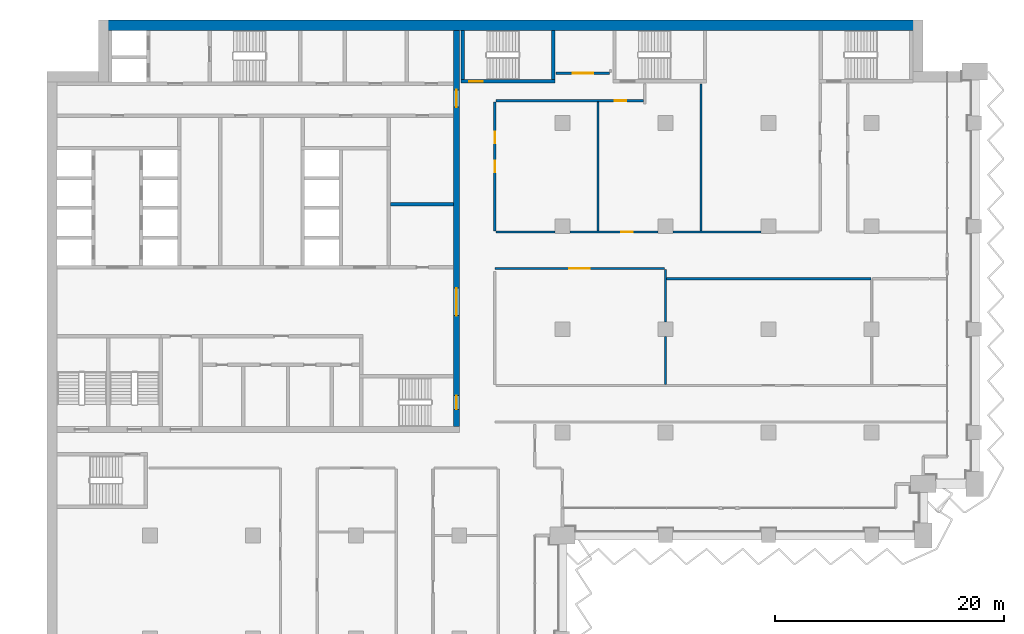
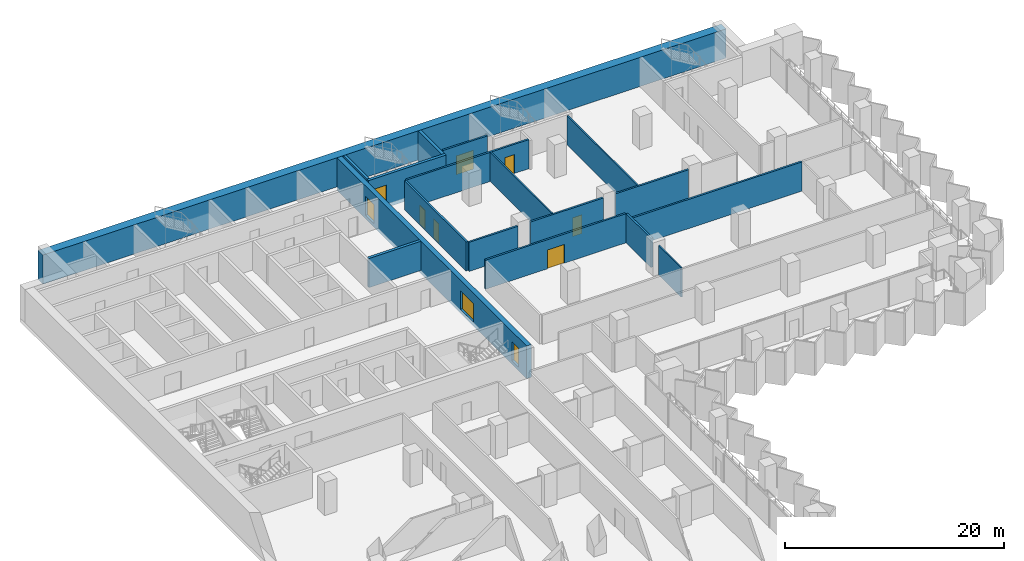
# One storey, part 14 of 23: 18 walls, 10 doors, 10 openings.
"""IFC4 building model written with IfcOpenShell, lengths in metres."""

from ifc_helpers import new_model, si_unit, direction, frame, frame_2d, origin, place, context, subcontext, project, spatial, rectangle, extrude, material, layer, layer_set, type_object, element, fill, save


model = new_model("IFC4")

# Units and contexts
model_context = context("Model", 3, precision=1e-05, world=origin(), true_north=direction((0.0, 1.0)))
body_context = subcontext(model_context, "Body", "Model", "MODEL_VIEW")
ifc_project = project(units=[si_unit("LENGTHUNIT", "METRE"), si_unit("AREAUNIT", "SQUARE_METRE"), si_unit("VOLUMEUNIT", "CUBIC_METRE"), si_unit("PLANEANGLEUNIT", "RADIAN"), si_unit("MASSUNIT", "GRAM", prefix="KILO")], contexts=[model_context])

# Site, building, storey
site_placement = place(None, origin())
site = spatial("IfcSite", under=ifc_project, at=site_placement, CompositionType="ELEMENT")
building_placement = place(site_placement, origin())
building = spatial("IfcBuilding", under=site, at=building_placement, Name="Hunhe Ridgeline Campus", CompositionType="ELEMENT")
storey_placement = place(building_placement, frame((0.0, 0.0, 125.5)))
storey = spatial("IfcBuildingStorey", under=building, at=storey_placement, Name="L31", CompositionType="ELEMENT", Elevation=125.5)

# Wall
ifc_material_1 = material(Name="Masonry concrete blockwork", Category="masonry")
ifc_layer_1 = layer(ifc_material_1, 0.300048828125)
ifc_layer_set_1 = layer_set([ifc_layer_1], Name="Core room partition 300 concrete block")
wall_type_1 = type_object("IfcWallType", Name="Core room partition 300 concrete block", PredefinedType="PARTITIONING", material=ifc_layer_set_1)
wall_1_placement = place(storey_placement, frame((30.0, 82.89990234375, 0.0), z_axis=(0.0, 0.0, 1.0), x_axis=(1.0, 0.0, 0.0)))
element("IfcWall", 1, at=wall_1_placement, inside=storey, type_object=wall_type_1, Name="L31 core partition 20", PredefinedType="PARTITIONING", context=body_context, shape_type="SweptSolid", body=[
    extrude(rectangle(XDim=5.5, YDim=0.300048828125, at=frame_2d((2.75, 0.0))), origin(), (0.0, 0.0, 1.0), 3.25),
])

# Wall, openings, doors
ifc_material_2 = material(Name="Concrete C80", Category="concrete")
ifc_layer_2 = layer(ifc_material_2, 0.5)
ifc_layer_set_2 = layer_set([ifc_layer_2], Name="Core wall 500 reinforced concrete C80")
wall_type_2 = type_object("IfcWallType", Name="Core wall 500 reinforced concrete C80", PredefinedType="SOLIDWALL", material=ifc_layer_set_2)
wall_2_placement = place(storey_placement, frame((35.75, 63.5, -0.39990234375), z_axis=(0.0, 0.0, 1.0), x_axis=(0.0, 1.0, 0.0)))
wall_2 = element("IfcWall", 2, at=wall_2_placement, inside=storey, type_object=wall_type_2, Name="L31 core wall 61", PredefinedType="SOLIDWALL", context=body_context, shape_type="SweptSolid", body=[
    extrude(rectangle(XDim=34.60009765625, YDim=0.5, at=frame_2d((17.300048828125, 0.0))), origin(), (0.0, 0.0, 1.0), 3.64990234375),
])
opening_1_placement = place(wall_2_placement, frame((9.699951171875, 0.0, 0.39990234375)))
opening_1 = element("IfcOpeningElement", 3, at=opening_1_placement, cuts=wall_2, Name="Opening CD4", PredefinedType="OPENING", context=body_context, shape_type="SweptSolid", body=[
    extrude(rectangle(XDim=2.39990234375, YDim=2.10009765625, at=frame_2d((1.199951171875, 1.050048828125))), frame((0.0, 0.25, 0.0), z_axis=(0.0, -1.0, 0.0), x_axis=(1.0, 0.0, 0.0)), (0.0, 0.0, 1.0), 0.5),
])
opening_2_placement = place(wall_2_placement, frame((27.89990234375, 0.0, 0.39990234375)))
opening_2 = element("IfcOpeningElement", 4, at=opening_2_placement, cuts=wall_2, Name="Opening CD5", PredefinedType="OPENING", context=body_context, shape_type="SweptSolid", body=[
    extrude(rectangle(XDim=1.5, YDim=2.10009765625, at=frame_2d((0.75, 1.050048828125))), frame((0.0, 0.25, 0.0), z_axis=(0.0, -1.0, 0.0), x_axis=(1.0, 0.0, 0.0)), (0.0, 0.0, 1.0), 0.5),
])
opening_3_placement = place(wall_2_placement, frame((1.5, 0.0, 0.39990234375)))
opening_3 = element("IfcOpeningElement", 5, at=opening_3_placement, cuts=wall_2, Name="Opening CD15", PredefinedType="OPENING", context=body_context, shape_type="SweptSolid", body=[
    extrude(rectangle(XDim=1.199951171875, YDim=2.10009765625, at=frame_2d((0.60009765625, 1.050048828125))), frame((0.0, 0.25, 0.0), z_axis=(0.0, -1.0, 0.0), x_axis=(1.0, 0.0, 0.0)), (0.0, 0.0, 1.0), 0.5),
])
ifc_material_3 = material(Name="Anodised aluminium and glass", Category="aluminium")
door_type_1 = type_object("IfcDoorType", Name="Glazed double door 2400x2100", OperationType="DOUBLE_DOOR_SINGLE_SWING", PredefinedType="DOOR", material=ifc_material_3)
door_1_placement = place(opening_1_placement, frame((2.39990234375, 0.0, 0.0), z_axis=(0.0, 0.0, 1.0), x_axis=(-1.0, 0.0, 0.0)))
door_1 = element("IfcDoor", 6, at=door_1_placement, inside=storey, type_object=door_type_1, Name="L31 door HALL-FLOOR", OperationType="DOUBLE_DOOR_SINGLE_SWING", OverallHeight=2.10009765625, OverallWidth=2.39990234375, PredefinedType="DOOR", context=body_context, shape_type="SweptSolid", body=[
    extrude(rectangle(XDim=2.39990234375, YDim=2.10009765625, at=frame_2d((1.199951171875, 1.050048828125))), frame((0.0, 0.02490234375, 0.0), z_axis=(0.0, -1.0, 0.0), x_axis=(1.0, 0.0, 0.0)), (0.0, 0.0, 1.0), 0.050048828125),
])
fill(opening_1, door_1)
ifc_material_4 = material(Name="Hollow metal fire door leaf")
door_type_2 = type_object("IfcDoorType", Name="Stair door 1200x2100 FD60", OperationType="SINGLE_SWING_LEFT", PredefinedType="DOOR", material=ifc_material_4)
door_2_placement = place(opening_3_placement, frame((1.199951171875, 0.0, 0.0), z_axis=(0.0, 0.0, 1.0), x_axis=(-1.0, 0.0, 0.0)))
door_2 = element("IfcDoor", 7, at=door_2_placement, inside=storey, type_object=door_type_2, Name="L31 door S2-FLOOR", OperationType="SINGLE_SWING_RIGHT", OverallHeight=2.10009765625, OverallWidth=1.199951171875, PredefinedType="DOOR", context=body_context, shape_type="SweptSolid", body=[
    extrude(rectangle(XDim=1.199951171875, YDim=2.10009765625, at=frame_2d((0.60009765625, 1.050048828125))), frame((0.0, 0.02490234375, 0.0), z_axis=(0.0, -1.0, 0.0), x_axis=(1.0, 0.0, 0.0)), (0.0, 0.0, 1.0), 0.050048828125),
])
fill(opening_3, door_2)
ifc_material_5 = material(Name="Solid core timber door leaf", Category="wood")
door_type_3 = type_object("IfcDoorType", Name="Timber door 1500x2100", OperationType="SINGLE_SWING_LEFT", PredefinedType="DOOR", material=ifc_material_5)
door_3_placement = place(opening_2_placement, frame((1.5, 0.0, 0.0), z_axis=(0.0, 0.0, 1.0), x_axis=(-1.0, 0.0, 0.0)))
door_3 = element("IfcDoor", 8, at=door_3_placement, inside=storey, type_object=door_type_3, Name="L31 door C1-FLOOR", OperationType="SINGLE_SWING_RIGHT", OverallHeight=2.10009765625, OverallWidth=1.5, PredefinedType="DOOR", context=body_context, shape_type="SweptSolid", body=[
    extrude(rectangle(XDim=1.5, YDim=2.10009765625, at=frame_2d((0.75, 1.050048828125))), frame((0.0, 0.02490234375, 0.0), z_axis=(0.0, -1.0, 0.0), x_axis=(1.0, 0.0, 0.0)), (0.0, 0.0, 1.0), 0.050048828125),
])
fill(opening_2, door_3)

# Wall
ifc_material_6 = material(Name="Gypsum board partition")
ifc_layer_3 = layer(ifc_material_6, 0.199951171875)
ifc_layer_set_3 = layer_set([ifc_layer_3], Name="Corridor partition 200 gypsum board on steel studs")
wall_type_3 = type_object("IfcWallType", Name="Corridor partition 200 gypsum board on steel studs", PredefinedType="PARTITIONING", material=ifc_layer_set_3)
wall_3_placement = place(storey_placement, frame((71.925048828125, 76.40087890625, 0.0), z_axis=(0.0, 0.0, 1.0), x_axis=(-1.0, 0.0, 0.0)))
element("IfcWall", 9, at=wall_3_placement, inside=storey, type_object=wall_type_3, Name="F-L31-wall-041", PredefinedType="PARTITIONING", context=body_context, shape_type="SweptSolid", body=[
    extrude(rectangle(XDim=17.824951171875, YDim=0.199951171875, at=frame_2d((8.91259765625, 0.0))), origin(), (0.0, 0.0, 1.0), 3.25),
])

# Wall, opening, door
wall_4_placement = place(storey_placement, frame((53.89990234375, 77.300048828125, 0.0), z_axis=(0.0, 0.0, 1.0), x_axis=(-1.0, 0.0, 0.0)))
wall_4 = element("IfcWall", 10, at=wall_4_placement, inside=storey, type_object=wall_type_3, Name="F-L31-wall-044", PredefinedType="PARTITIONING", context=body_context, shape_type="SweptSolid", body=[
    extrude(rectangle(XDim=14.7998046875, YDim=0.199951171875, at=frame_2d((7.39990234375, 0.0))), origin(), (0.0, 0.0, 1.0), 3.25),
])
opening_4_placement = place(wall_4_placement, frame((6.5, 0.0, 0.0)))
opening_4 = element("IfcOpeningElement", 11, at=opening_4_placement, cuts=wall_4, Name="Opening RD2-026", PredefinedType="OPENING", context=body_context, shape_type="SweptSolid", body=[
    extrude(rectangle(XDim=1.800048828125, YDim=2.10009765625, at=frame_2d((0.89990234375, 1.050048828125))), frame((0.0, 0.10009765625, 0.0), z_axis=(0.0, -1.0, 0.0), x_axis=(1.0, 0.0, 0.0)), (0.0, 0.0, 1.0), 0.199951171875),
])
ifc_material_7 = material(Name="Timber door leaf", Category="wood")
door_type_4 = type_object("IfcDoorType", Name="Double fire door 1800x2100 timber FD60", OperationType="DOUBLE_DOOR_SINGLE_SWING", PredefinedType="DOOR", material=ifc_material_7)
door_4_placement = place(opening_4_placement, origin())
door_4 = element("IfcDoor", 12, at=door_4_placement, inside=storey, type_object=door_type_4, Name="F-L31-door-026", OperationType="DOUBLE_DOOR_SINGLE_SWING", OverallHeight=2.10009765625, OverallWidth=1.800048828125, PredefinedType="DOOR", context=body_context, shape_type="SweptSolid", body=[
    extrude(rectangle(XDim=1.800048828125, YDim=2.10009765625, at=frame_2d((0.89990234375, 1.050048828125))), frame((0.0, 0.02490234375, 0.0), z_axis=(0.0, -1.0, 0.0), x_axis=(1.0, 0.0, 0.0)), (0.0, 0.0, 1.0), 0.050048828125),
])
fill(opening_4, door_4)

# Wall
wall_5_placement = place(storey_placement, frame((39.199951171875, 80.5, 0.0), z_axis=(0.0, 0.0, 1.0), x_axis=(1.0, 0.0, 0.0)))
element("IfcWall", 13, at=wall_5_placement, inside=storey, type_object=wall_type_3, Name="F-L31-wall-045", PredefinedType="PARTITIONING", context=body_context, shape_type="SweptSolid", body=[
    extrude(rectangle(XDim=5.150146484375, YDim=0.199951171875, at=frame_2d((2.5751953125, 0.0))), origin(), (0.0, 0.0, 1.0), 3.25),
])

# Wall, opening, door
wall_6_placement = place(storey_placement, frame((45.64990234375, 80.5, 0.0), z_axis=(0.0, 0.0, 1.0), x_axis=(1.0, 0.0, 0.0)))
wall_6 = element("IfcWall", 14, at=wall_6_placement, inside=storey, type_object=wall_type_3, Name="F-L31-wall-046", PredefinedType="PARTITIONING", context=body_context, shape_type="SweptSolid", body=[
    extrude(rectangle(XDim=7.7001953125, YDim=0.199951171875, at=frame_2d((3.85009765625, 0.0))), origin(), (0.0, 0.0, 1.0), 3.25),
])
opening_5_placement = place(wall_6_placement, frame((4.5048828125, 0.0, 0.0)))
opening_5 = element("IfcOpeningElement", 15, at=opening_5_placement, cuts=wall_6, Name="Opening RD1-027", PredefinedType="OPENING", context=body_context, shape_type="SweptSolid", body=[
    extrude(rectangle(XDim=1.0, YDim=2.10009765625, at=frame_2d((0.5, 1.050048828125))), frame((0.0, 0.10009765625, 0.0), z_axis=(0.0, -1.0, 0.0), x_axis=(1.0, 0.0, 0.0)), (0.0, 0.0, 1.0), 0.199951171875),
])
door_type_5 = type_object("IfcDoorType", Name="Single fire door 1000x2100 timber FD60", OperationType="NOTDEFINED", PredefinedType="DOOR", material=ifc_material_7)
door_5_placement = place(opening_5_placement, frame((1.0, 0.0, 0.0), z_axis=(0.0, 0.0, 1.0), x_axis=(-1.0, 0.0, 0.0)))
door_5 = element("IfcDoor", 16, at=door_5_placement, inside=storey, type_object=door_type_5, Name="F-L31-door-027", OperationType="SINGLE_SWING_LEFT", OverallHeight=2.10009765625, OverallWidth=1.0, PredefinedType="DOOR", context=body_context, shape_type="SweptSolid", body=[
    extrude(rectangle(XDim=1.0, YDim=2.10009765625, at=frame_2d((0.5, 1.050048828125))), frame((0.0, 0.02490234375, 0.0), z_axis=(0.0, -1.0, 0.0), x_axis=(1.0, 0.0, 0.0)), (0.0, 0.0, 1.0), 0.050048828125),
])
fill(opening_5, door_5)

# Wall
wall_7_placement = place(storey_placement, frame((54.64990234375, 80.5, 0.0), z_axis=(0.0, 0.0, 1.0), x_axis=(1.0, 0.0, 0.0)))
element("IfcWall", 17, at=wall_7_placement, inside=storey, type_object=wall_type_3, Name="F-L31-wall-047", PredefinedType="PARTITIONING", context=body_context, shape_type="SweptSolid", body=[
    extrude(rectangle(XDim=7.7001953125, YDim=0.199951171875, at=frame_2d((3.85009765625, 0.0))), origin(), (0.0, 0.0, 1.0), 3.25),
])

# Wall, opening, door
wall_8_placement = place(storey_placement, frame((52.10009765625, 91.949951171875, 0.0), z_axis=(0.0, 0.0, 1.0), x_axis=(-1.0, 0.0, 0.0)))
wall_8 = element("IfcWall", 18, at=wall_8_placement, inside=storey, type_object=wall_type_3, Name="F-L31-wall-051", PredefinedType="PARTITIONING", context=body_context, shape_type="SweptSolid", body=[
    extrude(rectangle(XDim=12.900146484375, YDim=0.199951171875, at=frame_2d((6.4501953125, 0.0))), origin(), (0.0, 0.0, 1.0), 3.25),
])
opening_6_placement = place(wall_8_placement, frame((1.5234375, 0.0, 0.0)))
opening_6 = element("IfcOpeningElement", 19, at=opening_6_placement, cuts=wall_8, Name="Opening RD1-034", PredefinedType="OPENING", context=body_context, shape_type="SweptSolid", body=[
    extrude(rectangle(XDim=1.0, YDim=2.10009765625, at=frame_2d((0.5, 1.050048828125))), frame((0.0, 0.10009765625, 0.0), z_axis=(0.0, -1.0, 0.0), x_axis=(1.0, 0.0, 0.0)), (0.0, 0.0, 1.0), 0.199951171875),
])
door_6_placement = place(opening_6_placement, frame((1.0, 0.0, 0.0), z_axis=(0.0, 0.0, 1.0), x_axis=(-1.0, 0.0, 0.0)))
door_6 = element("IfcDoor", 20, at=door_6_placement, inside=storey, type_object=door_type_5, Name="F-L31-door-034", OperationType="SINGLE_SWING_RIGHT", OverallHeight=2.10009765625, OverallWidth=1.0, PredefinedType="DOOR", context=body_context, shape_type="SweptSolid", body=[
    extrude(rectangle(XDim=1.0, YDim=2.10009765625, at=frame_2d((0.5, 1.050048828125))), frame((0.0, 0.02490234375, 0.0), z_axis=(0.0, -1.0, 0.0), x_axis=(1.0, 0.0, 0.0)), (0.0, 0.0, 1.0), 0.050048828125),
])
fill(opening_6, door_6)

wall_9_placement = place(storey_placement, frame((44.4541015625, 94.35009765625, 0.0), z_axis=(0.0, 0.0, 1.0), x_axis=(1.0, 0.0, 0.0)))
wall_9 = element("IfcWall", 21, at=wall_9_placement, inside=storey, type_object=wall_type_3, Name="F-L31-wall-052", PredefinedType="PARTITIONING", context=body_context, shape_type="SweptSolid", body=[
    extrude(rectangle(XDim=4.6708984375, YDim=0.199951171875, at=frame_2d((2.33544921875, 0.0))), origin(), (0.0, 0.0, 1.0), 3.25),
])
opening_7_placement = place(wall_9_placement, frame((1.435546875, 0.0, 0.0)))
opening_7 = element("IfcOpeningElement", 22, at=opening_7_placement, cuts=wall_9, Name="Opening RD2-035", PredefinedType="OPENING", context=body_context, shape_type="SweptSolid", body=[
    extrude(rectangle(XDim=1.800048828125, YDim=2.10009765625, at=frame_2d((0.89990234375, 1.050048828125))), frame((0.0, 0.10009765625, 0.0), z_axis=(0.0, -1.0, 0.0), x_axis=(1.0, 0.0, 0.0)), (0.0, 0.0, 1.0), 0.199951171875),
])
door_7_placement = place(opening_7_placement, origin())
door_7 = element("IfcDoor", 23, at=door_7_placement, inside=storey, type_object=door_type_4, Name="F-L31-door-035", OperationType="DOUBLE_DOOR_SINGLE_SWING", OverallHeight=2.10009765625, OverallWidth=1.800048828125, PredefinedType="DOOR", context=body_context, shape_type="SweptSolid", body=[
    extrude(rectangle(XDim=1.800048828125, YDim=2.10009765625, at=frame_2d((0.89990234375, 1.050048828125))), frame((0.0, 0.02490234375, 0.0), z_axis=(0.0, -1.0, 0.0), x_axis=(1.0, 0.0, 0.0)), (0.0, 0.0, 1.0), 0.050048828125),
])
fill(opening_7, door_7)

# Wall, openings, doors
wall_10_placement = place(storey_placement, frame((39.10009765625, 91.85009765625, 0.0), z_axis=(0.0, 0.0, 1.0), x_axis=(0.0, -1.0, 0.0)))
wall_10 = element("IfcWall", 24, at=wall_10_placement, inside=storey, type_object=wall_type_3, Name="F-L31-wall-065", PredefinedType="PARTITIONING", context=body_context, shape_type="SweptSolid", body=[
    extrude(rectangle(XDim=11.25, YDim=0.199951171875, at=frame_2d((5.625, 0.0))), origin(), (0.0, 0.0, 1.0), 3.25),
])
opening_8_placement = place(wall_10_placement, frame((5.125, 0.0, 0.0)))
opening_8 = element("IfcOpeningElement", 25, at=opening_8_placement, cuts=wall_10, Name="Opening RD1-028", PredefinedType="OPENING", context=body_context, shape_type="SweptSolid", body=[
    extrude(rectangle(XDim=1.0, YDim=2.10009765625, at=frame_2d((0.5, 1.050048828125))), frame((0.0, 0.10009765625, 0.0), z_axis=(0.0, -1.0, 0.0), x_axis=(1.0, 0.0, 0.0)), (0.0, 0.0, 1.0), 0.199951171875),
])
opening_9_placement = place(wall_10_placement, frame((2.625, 0.0, 0.0)))
opening_9 = element("IfcOpeningElement", 26, at=opening_9_placement, cuts=wall_10, Name="Opening RD1-031", PredefinedType="OPENING", context=body_context, shape_type="SweptSolid", body=[
    extrude(rectangle(XDim=1.0, YDim=2.10009765625, at=frame_2d((0.5, 1.050048828125))), frame((0.0, 0.10009765625, 0.0), z_axis=(0.0, -1.0, 0.0), x_axis=(1.0, 0.0, 0.0)), (0.0, 0.0, 1.0), 0.199951171875),
])
door_8_placement = place(opening_8_placement, frame((1.0, 0.0, 0.0), z_axis=(0.0, 0.0, 1.0), x_axis=(-1.0, 0.0, 0.0)))
door_8 = element("IfcDoor", 27, at=door_8_placement, inside=storey, type_object=door_type_5, Name="F-L31-door-028", OperationType="SINGLE_SWING_LEFT", OverallHeight=2.10009765625, OverallWidth=1.0, PredefinedType="DOOR", context=body_context, shape_type="SweptSolid", body=[
    extrude(rectangle(XDim=1.0, YDim=2.10009765625, at=frame_2d((0.5, 1.050048828125))), frame((0.0, 0.02490234375, 0.0), z_axis=(0.0, -1.0, 0.0), x_axis=(1.0, 0.0, 0.0)), (0.0, 0.0, 1.0), 0.050048828125),
])
fill(opening_8, door_8)
door_9_placement = place(opening_9_placement, frame((1.0, 0.0, 0.0), z_axis=(0.0, 0.0, 1.0), x_axis=(-1.0, 0.0, 0.0)))
door_9 = element("IfcDoor", 28, at=door_9_placement, inside=storey, type_object=door_type_5, Name="F-L31-door-031", OperationType="SINGLE_SWING_RIGHT", OverallHeight=2.10009765625, OverallWidth=1.0, PredefinedType="DOOR", context=body_context, shape_type="SweptSolid", body=[
    extrude(rectangle(XDim=1.0, YDim=2.10009765625, at=frame_2d((0.5, 1.050048828125))), frame((0.0, 0.02490234375, 0.0), z_axis=(0.0, -1.0, 0.0), x_axis=(1.0, 0.0, 0.0)), (0.0, 0.0, 1.0), 0.050048828125),
])
fill(opening_9, door_9)

# Walls
wall_11_placement = place(storey_placement, frame((54.0, 77.199951171875, 0.0), z_axis=(0.0, 0.0, 1.0), x_axis=(0.0, -1.0, 0.0)))
element("IfcWall", 29, at=wall_11_placement, inside=storey, type_object=wall_type_3, Name="F-L31-wall-073", PredefinedType="PARTITIONING", context=body_context, shape_type="SweptSolid", body=[
    extrude(rectangle(XDim=4.550048828125, YDim=0.199951171875, at=frame_2d((2.27490234375, 0.0))), origin(), (0.0, 0.0, 1.0), 3.25),
])
ifc_layer_4 = layer(ifc_material_6, 0.14990234375)
ifc_layer_set_4 = layer_set([ifc_layer_4], Name="Room partition 150 gypsum board on steel studs")
wall_type_4 = type_object("IfcWallType", Name="Room partition 150 gypsum board on steel studs", PredefinedType="PARTITIONING", material=ifc_layer_set_4)
wall_12_placement = place(storey_placement, frame((48.10009765625, 91.85009765625, 0.0), z_axis=(0.0, 0.0, 1.0), x_axis=(0.0, -1.0, 0.0)))
element("IfcWall", 30, at=wall_12_placement, inside=storey, type_object=wall_type_4, Name="F-L31-wall-069", PredefinedType="PARTITIONING", context=body_context, shape_type="SweptSolid", body=[
    extrude(rectangle(XDim=11.25, YDim=0.14990234375, at=frame_2d((5.625, 0.0))), origin(), (0.0, 0.0, 1.0), 3.25),
])
wall_13_placement = place(storey_placement, frame((54.0, 71.35009765625, 0.0), z_axis=(0.0, 0.0, 1.0), x_axis=(0.0, -1.0, 0.0)))
element("IfcWall", 31, at=wall_13_placement, inside=storey, type_object=wall_type_4, Name="F-L31-wall-072", PredefinedType="PARTITIONING", context=body_context, shape_type="SweptSolid", body=[
    extrude(rectangle(XDim=4.150146484375, YDim=0.14990234375, at=frame_2d((2.0751953125, 0.0))), origin(), (0.0, 0.0, 1.0), 3.25),
])
wall_14_placement = place(storey_placement, frame((57.10009765625, 93.39599609375, 0.0), z_axis=(0.0, 0.0, 1.0), x_axis=(0.0, -1.0, 0.0)))
element("IfcWall", 32, at=wall_14_placement, inside=storey, type_object=wall_type_4, Name="F-L31-wall-074", PredefinedType="PARTITIONING", context=body_context, shape_type="SweptSolid", body=[
    extrude(rectangle(XDim=12.7958984375, YDim=0.14990234375, at=frame_2d((6.39794921875, 0.0))), origin(), (0.0, 0.0, 1.0), 3.25),
])
ifc_material_8 = material(Name="Concrete C70", Category="concrete")
ifc_layer_5 = layer(ifc_material_8, 0.89990234375)
ifc_layer_set_5 = layer_set([ifc_layer_5], Name="Spine wall 900 Concrete C70")
wall_type_5 = type_object("IfcWallType", Name="Spine wall 900 Concrete C70", PredefinedType="SHEAR", material=ifc_layer_set_5)
wall_15_placement = place(storey_placement, frame((76.5, 98.550048828125, 0.0), z_axis=(0.0, 0.0, 1.0), x_axis=(-1.0, 0.0, 0.0)))
element("IfcWall", 33, at=wall_15_placement, inside=storey, type_object=wall_type_5, Name="Spine wall SW2-4 L31", PredefinedType="SHEAR", context=body_context, shape_type="SweptSolid", body=[
    extrude(rectangle(XDim=72.0, YDim=0.89990234375, at=frame_2d((36.0, 0.0))), origin(), (0.0, 0.0, 1.0), 3.25),
])

# Wall, opening, door
ifc_layer_6 = layer(ifc_material_2, 0.300048828125)
ifc_layer_set_6 = layer_set([ifc_layer_6], Name="Stair wall 300 reinforced concrete C80")
wall_type_6 = type_object("IfcWallType", Name="Stair wall 300 reinforced concrete C80", PredefinedType="SOLIDWALL", material=ifc_layer_set_6)
wall_16_placement = place(storey_placement, frame((36.14990234375, 93.64990234375, -0.39990234375), z_axis=(0.0, 0.0, 1.0), x_axis=(1.0, 0.0, 0.0)))
wall_16 = element("IfcWall", 34, at=wall_16_placement, inside=storey, type_object=wall_type_6, Name="L31 core wall 28", PredefinedType="SOLIDWALL", context=body_context, shape_type="SweptSolid", body=[
    extrude(rectangle(XDim=8.2001953125, YDim=0.300048828125, at=frame_2d((4.10009765625, 0.0))), origin(), (0.0, 0.0, 1.0), 3.64990234375),
])
opening_10_placement = place(wall_16_placement, frame((0.699951171875, 0.0, 0.39990234375)))
opening_10 = element("IfcOpeningElement", 35, at=opening_10_placement, cuts=wall_16, Name="Opening CD17", PredefinedType="OPENING", context=body_context, shape_type="SweptSolid", body=[
    extrude(rectangle(XDim=1.199951171875, YDim=2.10009765625, at=frame_2d((0.60009765625, 1.050048828125))), frame((0.0, 0.14990234375, 0.0), z_axis=(0.0, -1.0, 0.0), x_axis=(1.0, 0.0, 0.0)), (0.0, 0.0, 1.0), 0.300048828125),
])
door_10_placement = place(opening_10_placement, frame((1.199951171875, 0.0, 0.0), z_axis=(0.0, 0.0, 1.0), x_axis=(-1.0, 0.0, 0.0)))
door_10 = element("IfcDoor", 36, at=door_10_placement, inside=storey, type_object=door_type_2, Name="L31 door E1", OperationType="SINGLE_SWING_RIGHT", OverallHeight=2.10009765625, OverallWidth=1.199951171875, PredefinedType="DOOR", context=body_context, shape_type="SweptSolid", body=[
    extrude(rectangle(XDim=1.199951171875, YDim=2.10009765625, at=frame_2d((0.60009765625, 1.050048828125))), frame((0.0, 0.02490234375, 0.0), z_axis=(0.0, -1.0, 0.0), x_axis=(1.0, 0.0, 0.0)), (0.0, 0.0, 1.0), 0.050048828125),
])
fill(opening_10, door_10)

# Walls
for number, where, z_axis, x_axis, name in (
    (37, (36.300048828125, 93.800048828125, -0.39990234375), (0.0, 0.0, 1.0), (0.0, 1.0, 0.0), "L31 core wall 62"),
    (38, (44.199951171875, 93.800048828125, -0.39990234375), (0.0, 0.0, 1.0), (0.0, 1.0, 0.0), "L31 core wall 63"),
):
    element("IfcWall", number, at=place(storey_placement, frame(where, z_axis=z_axis, x_axis=x_axis)), inside=storey, type_object=wall_type_6, Name=name, PredefinedType="SOLIDWALL", context=body_context, shape_type="SweptSolid", body=[
        extrude(rectangle(XDim=4.300048828125, YDim=0.300048828125, at=frame_2d((2.14990234375, 0.0))), origin(), (0.0, 0.0, 1.0), 3.64990234375),
    ])

save(model, "model.ifc")
